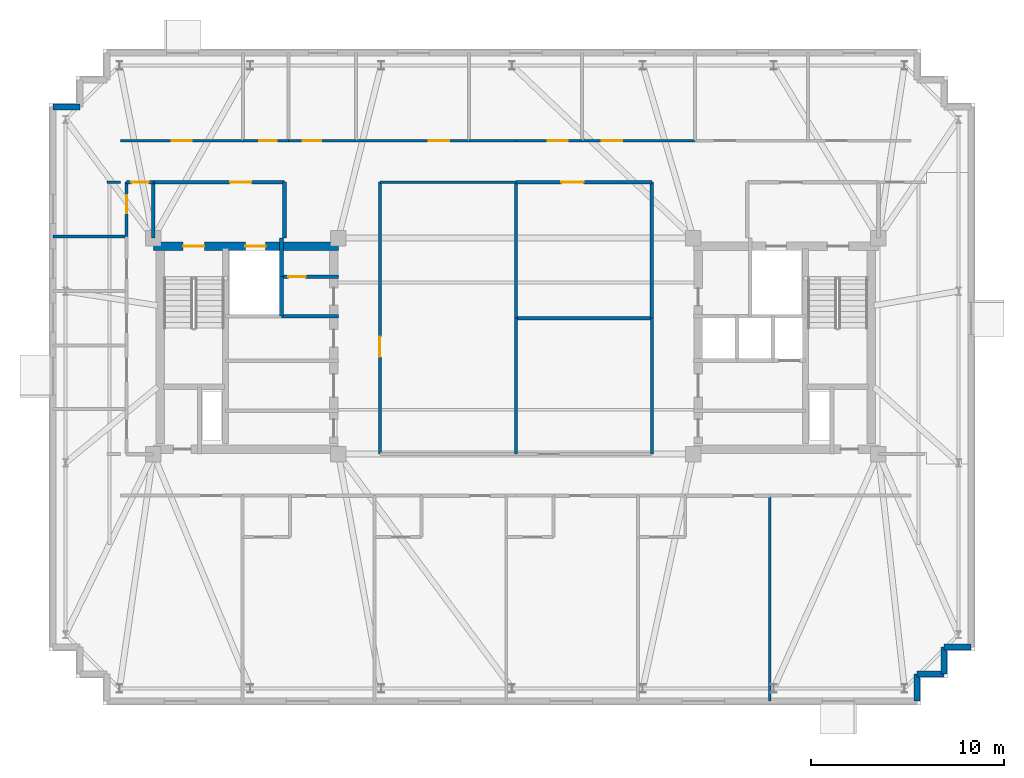
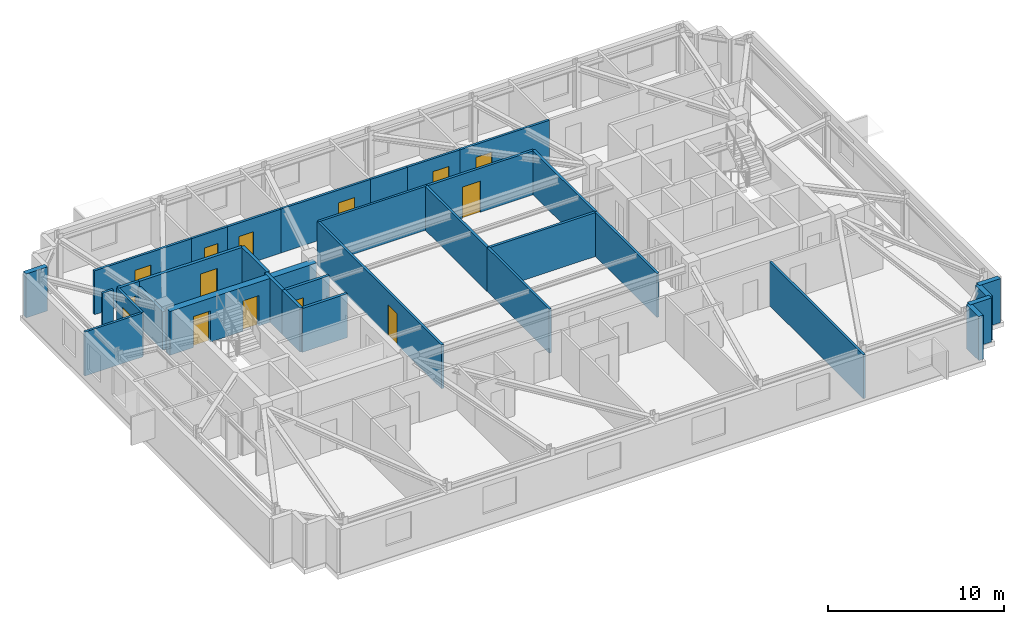
# One storey, part 7 of 11: 33 walls, 14 doors, 14 openings.
"""IFC4 building model written with IfcOpenShell, lengths in metres."""

from ifc_helpers import new_model, si_unit, direction, frame, frame_2d, origin, place, context, subcontext, project, spatial, rectangle, extrude, material, layer, layer_set, type_object, element, fill, save


model = new_model("IFC4")

# Units and contexts
model_context = context("Model", 3, precision=1e-05, world=origin(), true_north=direction((0.0, 1.0)))
body_context = subcontext(model_context, "Body", "Model", "MODEL_VIEW")
ifc_project = project(units=[si_unit("LENGTHUNIT", "METRE"), si_unit("AREAUNIT", "SQUARE_METRE"), si_unit("VOLUMEUNIT", "CUBIC_METRE"), si_unit("PLANEANGLEUNIT", "RADIAN"), si_unit("MASSUNIT", "GRAM", prefix="KILO")], contexts=[model_context])

# Site, building, storey
site_placement = place(None, origin())
site = spatial("IfcSite", under=ifc_project, at=site_placement, CompositionType="ELEMENT")
building_placement = place(site_placement, origin())
building = spatial("IfcBuilding", under=site, at=building_placement, Name="Qobustan Lattice House", CompositionType="ELEMENT")
storey_placement = place(building_placement, frame((0.0, 0.0, 248.39990234375)))
storey = spatial("IfcBuildingStorey", under=building, at=storey_placement, Name="L70", CompositionType="ELEMENT", Elevation=248.39990234375)

# Wall, openings, doors
ifc_material_1 = material(Name="Concrete C50/60", Category="concrete")
ifc_layer_1 = layer(ifc_material_1, 0.43994140625)
ifc_layer_set_1 = layer_set([ifc_layer_1], Name="Concrete C50/60")
wall_type_1 = type_object("IfcWallType", Name="WAL-CORE-440", PredefinedType="SHEAR", material=ifc_layer_set_1)
wall_1_placement = place(storey_placement, frame((-18.800048828125, 5.179931640625, 0.0), z_axis=(0.0, 0.0, 1.0), x_axis=(1.0, 0.0, 0.0)))
wall_1 = element("IfcWall", 1, at=wall_1_placement, inside=storey, type_object=wall_type_1, Name="L70 split-core shear wall CW-N", PredefinedType="SHEAR", context=body_context, shape_type="SweptSolid", body=[
    extrude(rectangle(XDim=9.60009765625, YDim=0.43994140625, at=frame_2d((4.800048828125, 0.0))), origin(), (0.0, 0.0, 1.0), 3.0400390625),
])
opening_1_placement = place(wall_1_placement, frame((1.550048828125, 0.0, 0.0)))
opening_1 = element("IfcOpeningElement", 2, at=opening_1_placement, cuts=wall_1, Name="Opening SD-01", PredefinedType="OPENING", context=body_context, shape_type="SweptSolid", body=[
    extrude(rectangle(XDim=1.10009765625, YDim=2.14990234375, at=frame_2d((0.550048828125, 1.074951171875))), frame((0.0, 0.22998046875, 0.0), z_axis=(0.0, -1.0, 0.0), x_axis=(1.0, 0.0, 0.0)), (0.0, 0.0, 1.0), 0.4599609375),
])
opening_2_placement = place(wall_1_placement, frame((4.77490234375, 0.0, 0.0)))
opening_2 = element("IfcOpeningElement", 3, at=opening_2_placement, cuts=wall_1, Name="Opening LD-01", PredefinedType="OPENING", context=body_context, shape_type="SweptSolid", body=[
    extrude(rectangle(XDim=1.050048828125, YDim=2.10009765625, at=frame_2d((0.52490234375, 1.050048828125))), frame((0.0, 0.22998046875, 0.0), z_axis=(0.0, -1.0, 0.0), x_axis=(1.0, 0.0, 0.0)), (0.0, 0.0, 1.0), 0.4599609375),
])
ifc_material_2 = material(Name="Persian walnut timber and steel frame door", Category="steel")
door_type_1 = type_object("IfcDoorType", Name="DOR-LIFT-LD-1050x2100", OperationType="NOTDEFINED", PredefinedType="DOOR", material=ifc_material_2)
door_1_placement = place(opening_2_placement, origin())
door_1 = element("IfcDoor", 4, at=door_1_placement, inside=storey, type_object=door_type_1, Name="L70 firefighting lift FF-W landing door", OperationType="DOUBLE_DOOR_SLIDING", OverallHeight=2.10009765625, OverallWidth=1.050048828125, PredefinedType="DOOR", context=body_context, shape_type="SweptSolid", body=[
    extrude(rectangle(XDim=1.050048828125, YDim=2.10009765625, at=frame_2d((0.52490234375, 1.050048828125))), frame((0.0, 0.02490234375, 0.0), z_axis=(0.0, -1.0, 0.0), x_axis=(1.0, 0.0, 0.0)), (0.0, 0.0, 1.0), 0.050048828125),
])
fill(opening_2, door_1)
ifc_material_3 = material(Name="Persian walnut timber and steel frame door", Category="steel")
door_type_2 = type_object("IfcDoorType", Name="DOR-STAIR-FD-1100x2150", OperationType="NOTDEFINED", PredefinedType="DOOR", material=ifc_material_3)
door_2_placement = place(opening_1_placement, origin())
door_2 = element("IfcDoor", 5, at=door_2_placement, inside=storey, type_object=door_type_2, Name="L70 exit stair ST-W1 fire door", OperationType="SINGLE_SWING_RIGHT", OverallHeight=2.14990234375, OverallWidth=1.10009765625, PredefinedType="DOOR", context=body_context, shape_type="SweptSolid", body=[
    extrude(rectangle(XDim=1.10009765625, YDim=2.14990234375, at=frame_2d((0.550048828125, 1.074951171875))), frame((0.0, 0.02490234375, 0.0), z_axis=(0.0, -1.0, 0.0), x_axis=(1.0, 0.0, 0.0)), (0.0, 0.0, 1.0), 0.050048828125),
])
fill(opening_1, door_2)

# Walls
ifc_material_4 = material(Name="Precast concrete C40/50", Category="concrete")
ifc_layer_2 = layer(ifc_material_4, 0.320068359375)
ifc_layer_set_2 = layer_set([ifc_layer_2], Name="Precast concrete C40/50")
wall_type_2 = type_object("IfcWallType", Name="WAL-EXT-STONE-320", PredefinedType="SOLIDWALL", material=ifc_layer_set_2)
wall_2_placement = place(storey_placement, frame((-24.0, 12.39990234375, 0.0), z_axis=(0.0, 0.0, 1.0), x_axis=(1.0, 0.0, 0.0)))
element("IfcWall", 6, at=wall_2_placement, inside=storey, type_object=wall_type_2, Name="L70 exterior limestone-clad wall 6", PredefinedType="SOLIDWALL", context=body_context, shape_type="SweptSolid", body=[
    extrude(rectangle(XDim=1.39990234375, YDim=0.320068359375, at=frame_2d((0.699951171875, 0.0))), origin(), (0.0, 0.0, 1.0), 3.0400390625),
])
wall_3_placement = place(storey_placement, frame((23.60009765625, -15.60009765625, 0.0), z_axis=(0.0, 0.0, 1.0), x_axis=(-1.0, 0.0, 0.0)))
element("IfcWall", 7, at=wall_3_placement, inside=storey, type_object=wall_type_2, Name="L70 exterior limestone-clad wall 16", PredefinedType="SOLIDWALL", context=body_context, shape_type="SweptSolid", body=[
    extrude(rectangle(XDim=1.400146484375, YDim=0.320068359375, at=frame_2d((0.7001953125, 0.0))), origin(), (0.0, 0.0, 1.0), 3.0400390625),
])
for number, where, z_axis, x_axis, name in (
    (8, (22.199951171875, -15.60009765625, 0.0), (0.0, 0.0, 1.0), (0.0, -1.0, 0.0), "L70 exterior limestone-clad wall 17"),
    (9, (22.199951171875, -17.0, 0.0), (0.0, 0.0, 1.0), (-1.0, 0.0, 0.0), "L70 exterior limestone-clad wall 18"),
    (10, (20.800048828125, -17.0, 0.0), (0.0, 0.0, 1.0), (0.0, -1.0, 0.0), "L70 exterior limestone-clad wall 19"),
):
    element("IfcWall", number, at=place(storey_placement, frame(where, z_axis=z_axis, x_axis=x_axis)), inside=storey, type_object=wall_type_2, Name=name, PredefinedType="SOLIDWALL", context=body_context, shape_type="SweptSolid", body=[
        extrude(rectangle(XDim=1.39990234375, YDim=0.320068359375, at=frame_2d((0.699951171875, 0.0))), origin(), (0.0, 0.0, 1.0), 3.0400390625),
    ])

# Wall, opening, door
ifc_material_5 = material(Name="Gypsum fireboard acoustic partition", Category="gypsum")
ifc_layer_3 = layer(ifc_material_5, 0.179931640625)
ifc_layer_set_3 = layer_set([ifc_layer_3], Name="Gypsum fireboard acoustic partition")
wall_type_3 = type_object("IfcWallType", Name="WAL-FIRE-180", PredefinedType="PARTITIONING", material=ifc_layer_set_3)
wall_4_placement = place(storey_placement, frame((-9.199951171875, 3.60009765625, 0.0), z_axis=(0.0, 0.0, 1.0), x_axis=(-1.0, 0.0, 0.0)))
wall_4 = element("IfcWall", 11, at=wall_4_placement, inside=storey, type_object=wall_type_3, Name="L70 interior partition 7", PredefinedType="PARTITIONING", context=body_context, shape_type="SweptSolid", body=[
    extrude(rectangle(XDim=2.949951171875, YDim=0.179931640625, at=frame_2d((1.47509765625, 0.0))), origin(), (0.0, 0.0, 1.0), 3.0400390625),
])
opening_3_placement = place(wall_4_placement, frame((1.699951171875, 0.0, 0.0)))
opening_3 = element("IfcOpeningElement", 12, at=opening_3_placement, cuts=wall_4, Name="Opening RD-01", PredefinedType="OPENING", context=body_context, shape_type="SweptSolid", body=[
    extrude(rectangle(XDim=0.89990234375, YDim=2.10009765625, at=frame_2d((0.449951171875, 1.050048828125))), frame((0.0, 0.099853515625, 0.0), z_axis=(0.0, -1.0, 0.0), x_axis=(1.0, 0.0, 0.0)), (0.0, 0.0, 1.0), 0.199951171875),
])
ifc_material_6 = material(Name="Persian walnut timber and steel frame door", Category="steel")
door_type_3 = type_object("IfcDoorType", Name="DOR-RISER-FD-900x2100", OperationType="NOTDEFINED", PredefinedType="DOOR", material=ifc_material_6)
door_3_placement = place(opening_3_placement, origin())
door_3 = element("IfcDoor", 13, at=door_3_placement, inside=storey, type_object=door_type_3, Name="L70 Core utility lobby to Cleaner store door", OperationType="SINGLE_SWING_LEFT", OverallHeight=2.10009765625, OverallWidth=0.89990234375, PredefinedType="DOOR", context=body_context, shape_type="SweptSolid", body=[
    extrude(rectangle(XDim=0.89990234375, YDim=2.10009765625, at=frame_2d((0.449951171875, 1.050048828125))), frame((0.0, 0.02490234375, 0.0), z_axis=(0.0, -1.0, 0.0), x_axis=(1.0, 0.0, 0.0)), (0.0, 0.0, 1.0), 0.050048828125),
])
fill(opening_3, door_3)

# Wall
wall_5_placement = place(storey_placement, frame((-12.14990234375, 1.550048828125, 0.0), z_axis=(0.0, 0.0, 1.0), x_axis=(1.0, 0.0, 0.0)))
element("IfcWall", 14, at=wall_5_placement, inside=storey, type_object=wall_type_3, Name="L70 interior partition 8", PredefinedType="PARTITIONING", context=body_context, shape_type="SweptSolid", body=[
    extrude(rectangle(XDim=2.949951171875, YDim=0.179931640625, at=frame_2d((1.47509765625, 0.0))), origin(), (0.0, 0.0, 1.0), 3.0400390625),
])

# Wall, opening, door
wall_6_placement = place(storey_placement, frame((-18.800048828125, 8.5, 0.0), z_axis=(0.0, 0.0, 1.0), x_axis=(-1.0, 0.0, 0.0)))
wall_6 = element("IfcWall", 15, at=wall_6_placement, inside=storey, type_object=wall_type_3, Name="L70 interior partition 29", PredefinedType="PARTITIONING", context=body_context, shape_type="SweptSolid", body=[
    extrude(rectangle(XDim=1.3798828125, YDim=0.179931640625, at=frame_2d((0.68994140625, 0.0))), origin(), (0.0, 0.0, 1.0), 3.0400390625),
])
opening_4_placement = place(wall_6_placement, frame((0.239990234375, 0.0, 0.0)))
opening_4 = element("IfcOpeningElement", 16, at=opening_4_placement, cuts=wall_6, Name="Opening RD-01", PredefinedType="OPENING", context=body_context, shape_type="SweptSolid", body=[
    extrude(rectangle(XDim=0.89990234375, YDim=2.10009765625, at=frame_2d((0.449951171875, 1.050048828125))), frame((0.0, 0.099853515625, 0.0), z_axis=(0.0, -1.0, 0.0), x_axis=(1.0, 0.0, 0.0)), (0.0, 0.0, 1.0), 0.199951171875),
])
door_4_placement = place(opening_4_placement, origin())
door_4 = element("IfcDoor", 17, at=door_4_placement, inside=storey, type_object=door_type_3, Name="L70 North-west floor corridor to Residence entrance hall L70W door", OperationType="SINGLE_SWING_RIGHT", OverallHeight=2.10009765625, OverallWidth=0.89990234375, PredefinedType="DOOR", context=body_context, shape_type="SweptSolid", body=[
    extrude(rectangle(XDim=0.89990234375, YDim=2.10009765625, at=frame_2d((0.449951171875, 1.050048828125))), frame((0.0, 0.02490234375, 0.0), z_axis=(0.0, -1.0, 0.0), x_axis=(1.0, 0.0, 0.0)), (0.0, 0.0, 1.0), 0.050048828125),
])
fill(opening_4, door_4)

# Wall
ifc_material_7 = material(Name="Acoustic twin-stud gypsum partition", Category="gypsum")
ifc_layer_4 = layer(ifc_material_7, 0.14990234375)
ifc_layer_set_4 = layer_set([ifc_layer_4], Name="Acoustic twin-stud gypsum partition")
wall_type_4 = type_object("IfcWallType", Name="WAL-PART-150", PredefinedType="PARTITIONING", material=ifc_layer_set_4)
wall_7_placement = place(storey_placement, frame((-20.5, 8.5, 0.0), z_axis=(0.0, 0.0, 1.0), x_axis=(-1.0, 0.0, 0.0)))
element("IfcWall", 18, at=wall_7_placement, inside=storey, type_object=wall_type_4, Name="L70 interior partition 30", PredefinedType="PARTITIONING", context=body_context, shape_type="SweptSolid", body=[
    extrude(rectangle(XDim=0.699951171875, YDim=0.14990234375, at=frame_2d((0.35009765625, 0.0))), origin(), (0.0, 0.0, 1.0), 3.0400390625),
])

# Wall, opening, door
wall_8_placement = place(storey_placement, frame((-20.5, 10.64990234375, 0.0), z_axis=(0.0, 0.0, 1.0), x_axis=(1.0, 0.0, 0.0)))
wall_8 = element("IfcWall", 19, at=wall_8_placement, inside=storey, type_object=wall_type_4, Name="L70 interior partition 31", PredefinedType="PARTITIONING", context=body_context, shape_type="SweptSolid", body=[
    extrude(rectangle(XDim=6.35693359375, YDim=0.14990234375, at=frame_2d((3.178466796875, 0.0))), origin(), (0.0, 0.0, 1.0), 3.0400390625),
])
opening_5_placement = place(wall_8_placement, frame((2.653564453125, 0.0, 0.0)))
opening_5 = element("IfcOpeningElement", 20, at=opening_5_placement, cuts=wall_8, Name="Opening ID-02", PredefinedType="OPENING", context=body_context, shape_type="SweptSolid", body=[
    extrude(rectangle(XDim=1.050048828125, YDim=2.14990234375, at=frame_2d((0.52490234375, 1.074951171875))), frame((0.0, 0.0849609375, 0.0), z_axis=(0.0, -1.0, 0.0), x_axis=(1.0, 0.0, 0.0)), (0.0, 0.0, 1.0), 0.169921875),
])
ifc_material_8 = material(Name="Persian walnut timber and steel frame door", Category="steel")
door_type_4 = type_object("IfcDoorType", Name="DOR-STUDY-1050x2150", OperationType="NOTDEFINED", PredefinedType="DOOR", material=ifc_material_8)
door_5_placement = place(opening_5_placement, origin())
door_5 = element("IfcDoor", 21, at=door_5_placement, inside=storey, type_object=door_type_4, Name="L70 North-west floor corridor to Focus study room N1 door", OperationType="SINGLE_SWING_LEFT", OverallHeight=2.14990234375, OverallWidth=1.050048828125, PredefinedType="DOOR", context=body_context, shape_type="SweptSolid", body=[
    extrude(rectangle(XDim=1.050048828125, YDim=2.14990234375, at=frame_2d((0.52490234375, 1.074951171875))), frame((0.0, 0.02490234375, 0.0), z_axis=(0.0, -1.0, 0.0), x_axis=(1.0, 0.0, 0.0)), (0.0, 0.0, 1.0), 0.050048828125),
])
fill(opening_5, door_5)

wall_9_placement = place(storey_placement, frame((-11.79296875, 10.64990234375, 0.0), z_axis=(0.0, 0.0, 1.0), x_axis=(1.0, 0.0, 0.0)))
wall_9 = element("IfcWall", 22, at=wall_9_placement, inside=storey, type_object=wall_type_4, Name="L70 interior partition 33", PredefinedType="PARTITIONING", context=body_context, shape_type="SweptSolid", body=[
    extrude(rectangle(XDim=3.507080078125, YDim=0.14990234375, at=frame_2d((1.75341796875, 0.0))), origin(), (0.0, 0.0, 1.0), 3.0400390625),
])
opening_6_placement = place(wall_9_placement, frame((0.754638671875, 0.0, 0.0)))
opening_6 = element("IfcOpeningElement", 23, at=opening_6_placement, cuts=wall_9, Name="Opening ID-01", PredefinedType="OPENING", context=body_context, shape_type="SweptSolid", body=[
    extrude(rectangle(XDim=0.949951171875, YDim=2.10009765625, at=frame_2d((0.47509765625, 1.050048828125))), frame((0.0, 0.0849609375, 0.0), z_axis=(0.0, -1.0, 0.0), x_axis=(1.0, 0.0, 0.0)), (0.0, 0.0, 1.0), 0.169921875),
])
ifc_material_9 = material(Name="Persian walnut timber and steel frame door", Category="steel")
door_type_5 = type_object("IfcDoorType", Name="DOR-ROOM-950x2100", OperationType="NOTDEFINED", PredefinedType="DOOR", material=ifc_material_9)
door_6_placement = place(opening_6_placement, origin())
door_6 = element("IfcDoor", 24, at=door_6_placement, inside=storey, type_object=door_type_5, Name="L70 North-west floor corridor to Laundry utility room door", OperationType="SINGLE_SWING_LEFT", OverallHeight=2.10009765625, OverallWidth=0.949951171875, PredefinedType="DOOR", context=body_context, shape_type="SweptSolid", body=[
    extrude(rectangle(XDim=0.949951171875, YDim=2.10009765625, at=frame_2d((0.47509765625, 1.050048828125))), frame((0.0, 0.02490234375, 0.0), z_axis=(0.0, -1.0, 0.0), x_axis=(1.0, 0.0, 0.0)), (0.0, 0.0, 1.0), 0.050048828125),
])
fill(opening_6, door_6)

wall_10_placement = place(storey_placement, frame((-8.285888671875, 10.64990234375, 0.0), z_axis=(0.0, 0.0, 1.0), x_axis=(1.0, 0.0, 0.0)))
wall_10 = element("IfcWall", 25, at=wall_10_placement, inside=storey, type_object=wall_type_4, Name="L70 interior partition 34", PredefinedType="PARTITIONING", context=body_context, shape_type="SweptSolid", body=[
    extrude(rectangle(XDim=5.85693359375, YDim=0.14990234375, at=frame_2d((2.928466796875, 0.0))), origin(), (0.0, 0.0, 1.0), 3.0400390625),
])
opening_7_placement = place(wall_10_placement, frame((3.77099609375, 0.0, 0.0)))
opening_7 = element("IfcOpeningElement", 26, at=opening_7_placement, cuts=wall_10, Name="Opening ID-02", PredefinedType="OPENING", context=body_context, shape_type="SweptSolid", body=[
    extrude(rectangle(XDim=1.050048828125, YDim=2.14990234375, at=frame_2d((0.52490234375, 1.074951171875))), frame((0.0, 0.0849609375, 0.0), z_axis=(0.0, -1.0, 0.0), x_axis=(1.0, 0.0, 0.0)), (0.0, 0.0, 1.0), 0.169921875),
])
door_7_placement = place(opening_7_placement, origin())
door_7 = element("IfcDoor", 27, at=door_7_placement, inside=storey, type_object=door_type_4, Name="L70 North-west floor corridor to Focus study room N3 door", OperationType="SINGLE_SWING_RIGHT", OverallHeight=2.14990234375, OverallWidth=1.050048828125, PredefinedType="DOOR", context=body_context, shape_type="SweptSolid", body=[
    extrude(rectangle(XDim=1.050048828125, YDim=2.14990234375, at=frame_2d((0.52490234375, 1.074951171875))), frame((0.0, 0.02490234375, 0.0), z_axis=(0.0, -1.0, 0.0), x_axis=(1.0, 0.0, 0.0)), (0.0, 0.0, 1.0), 0.050048828125),
])
fill(opening_7, door_7)

# Walls
wall_11_placement = place(storey_placement, frame((-2.428955078125, 10.64990234375, 0.0), z_axis=(0.0, 0.0, 1.0), x_axis=(1.0, 0.0, 0.0)))
element("IfcWall", 28, at=wall_11_placement, inside=storey, type_object=wall_type_4, Name="L70 interior partition 35", PredefinedType="PARTITIONING", context=body_context, shape_type="SweptSolid", body=[
    extrude(rectangle(XDim=2.428955078125, YDim=0.14990234375, at=frame_2d((1.21435546875, 0.0))), origin(), (0.0, 0.0, 1.0), 3.0400390625),
])
wall_12_placement = place(storey_placement, frame((0.0, 8.5, 0.0), z_axis=(0.0, 0.0, 1.0), x_axis=(-1.0, 0.0, 0.0)))
element("IfcWall", 29, at=wall_12_placement, inside=storey, type_object=wall_type_4, Name="L70 interior partition 36", PredefinedType="PARTITIONING", context=body_context, shape_type="SweptSolid", body=[
    extrude(rectangle(XDim=7.050048828125, YDim=0.14990234375, at=frame_2d((3.52490234375, 0.0))), origin(), (0.0, 0.0, 1.0), 3.0400390625),
])

# Wall, opening, door
wall_13_placement = place(storey_placement, frame((0.0, 10.64990234375, 0.0), z_axis=(0.0, 0.0, 1.0), x_axis=(1.0, 0.0, 0.0)))
wall_13 = element("IfcWall", 30, at=wall_13_placement, inside=storey, type_object=wall_type_4, Name="L70 interior partition 39", PredefinedType="PARTITIONING", context=body_context, shape_type="SweptSolid", body=[
    extrude(rectangle(XDim=3.428955078125, YDim=0.14990234375, at=frame_2d((1.71435546875, 0.0))), origin(), (0.0, 0.0, 1.0), 3.0400390625),
])
opening_8_placement = place(wall_13_placement, frame((1.646484375, 0.0, 0.0)))
opening_8 = element("IfcOpeningElement", 31, at=opening_8_placement, cuts=wall_13, Name="Opening ID-02", PredefinedType="OPENING", context=body_context, shape_type="SweptSolid", body=[
    extrude(rectangle(XDim=1.050048828125, YDim=2.14990234375, at=frame_2d((0.52490234375, 1.074951171875))), frame((0.0, 0.0849609375, 0.0), z_axis=(0.0, -1.0, 0.0), x_axis=(1.0, 0.0, 0.0)), (0.0, 0.0, 1.0), 0.169921875),
])
door_8_placement = place(opening_8_placement, origin())
door_8 = element("IfcDoor", 32, at=door_8_placement, inside=storey, type_object=door_type_4, Name="L70 North-east floor corridor to Focus study room N4 door", OperationType="SINGLE_SWING_RIGHT", OverallHeight=2.14990234375, OverallWidth=1.050048828125, PredefinedType="DOOR", context=body_context, shape_type="SweptSolid", body=[
    extrude(rectangle(XDim=1.050048828125, YDim=2.14990234375, at=frame_2d((0.52490234375, 1.074951171875))), frame((0.0, 0.02490234375, 0.0), z_axis=(0.0, -1.0, 0.0), x_axis=(1.0, 0.0, 0.0)), (0.0, 0.0, 1.0), 0.050048828125),
])
fill(opening_8, door_8)

wall_14_placement = place(storey_placement, frame((3.428955078125, 10.64990234375, 0.0), z_axis=(0.0, 0.0, 1.0), x_axis=(1.0, 0.0, 0.0)))
wall_14 = element("IfcWall", 33, at=wall_14_placement, inside=storey, type_object=wall_type_4, Name="L70 interior partition 40", PredefinedType="PARTITIONING", context=body_context, shape_type="SweptSolid", body=[
    extrude(rectangle(XDim=5.85693359375, YDim=0.14990234375, at=frame_2d((2.928466796875, 0.0))), origin(), (0.0, 0.0, 1.0), 3.0400390625),
])
opening_9_placement = place(wall_14_placement, frame((1.035888671875, 0.0, 0.0)))
opening_9 = element("IfcOpeningElement", 34, at=opening_9_placement, cuts=wall_14, Name="Opening ID-02", PredefinedType="OPENING", context=body_context, shape_type="SweptSolid", body=[
    extrude(rectangle(XDim=1.050048828125, YDim=2.14990234375, at=frame_2d((0.52490234375, 1.074951171875))), frame((0.0, 0.0849609375, 0.0), z_axis=(0.0, -1.0, 0.0), x_axis=(1.0, 0.0, 0.0)), (0.0, 0.0, 1.0), 0.169921875),
])
door_9_placement = place(opening_9_placement, origin())
door_9 = element("IfcDoor", 35, at=door_9_placement, inside=storey, type_object=door_type_4, Name="L70 North-east floor corridor to Focus study room N5 door", OperationType="SINGLE_SWING_LEFT", OverallHeight=2.14990234375, OverallWidth=1.050048828125, PredefinedType="DOOR", context=body_context, shape_type="SweptSolid", body=[
    extrude(rectangle(XDim=1.050048828125, YDim=2.14990234375, at=frame_2d((0.52490234375, 1.074951171875))), frame((0.0, 0.02490234375, 0.0), z_axis=(0.0, -1.0, 0.0), x_axis=(1.0, 0.0, 0.0)), (0.0, 0.0, 1.0), 0.050048828125),
])
fill(opening_9, door_9)

wall_15_placement = place(storey_placement, frame((-7.050048828125, 8.5, 0.0), z_axis=(0.0, 0.0, 1.0), x_axis=(0.0, -1.0, 0.0)))
wall_15 = element("IfcWall", 36, at=wall_15_placement, inside=storey, type_object=wall_type_4, Name="L70 interior partition 61", PredefinedType="PARTITIONING", context=body_context, shape_type="SweptSolid", body=[
    extrude(rectangle(XDim=14.10009765625, YDim=0.14990234375, at=frame_2d((7.050048828125, 0.0))), origin(), (0.0, 0.0, 1.0), 3.0400390625),
])
opening_10_placement = place(wall_15_placement, frame((8.01123046875, 0.0, 0.0)))
opening_10 = element("IfcOpeningElement", 37, at=opening_10_placement, cuts=wall_15, Name="Opening ID-02", PredefinedType="OPENING", context=body_context, shape_type="SweptSolid", body=[
    extrude(rectangle(XDim=1.050048828125, YDim=2.14990234375, at=frame_2d((0.52490234375, 1.074951171875))), frame((0.0, 0.0849609375, 0.0), z_axis=(0.0, -1.0, 0.0), x_axis=(1.0, 0.0, 0.0)), (0.0, 0.0, 1.0), 0.169921875),
])
door_10_placement = place(opening_10_placement, origin())
door_10 = element("IfcDoor", 38, at=door_10_placement, inside=storey, type_object=door_type_4, Name="L70 West floor link corridor to Central silent study room door", OperationType="SINGLE_SWING_RIGHT", OverallHeight=2.14990234375, OverallWidth=1.050048828125, PredefinedType="DOOR", context=body_context, shape_type="SweptSolid", body=[
    extrude(rectangle(XDim=1.050048828125, YDim=2.14990234375, at=frame_2d((0.52490234375, 1.074951171875))), frame((0.0, 0.02490234375, 0.0), z_axis=(0.0, -1.0, 0.0), x_axis=(1.0, 0.0, 0.0)), (0.0, 0.0, 1.0), 0.050048828125),
])
fill(opening_10, door_10)

# Wall
wall_16_placement = place(storey_placement, frame((7.050048828125, -5.60009765625, 0.0), z_axis=(0.0, 0.0, 1.0), x_axis=(0.0, 1.0, 0.0)))
element("IfcWall", 39, at=wall_16_placement, inside=storey, type_object=wall_type_4, Name="L70 interior partition 62", PredefinedType="PARTITIONING", context=body_context, shape_type="SweptSolid", body=[
    extrude(rectangle(XDim=7.050048828125, YDim=0.14990234375, at=frame_2d((3.52490234375, 0.0))), origin(), (0.0, 0.0, 1.0), 3.0400390625),
])

# Wall, opening, door
wall_17_placement = place(storey_placement, frame((-20.179931640625, 5.679931640625, 0.0), z_axis=(0.0, 0.0, 1.0), x_axis=(0.0, 1.0, 0.0)))
wall_17 = element("IfcWall", 40, at=wall_17_placement, inside=storey, type_object=wall_type_4, Name="L70 interior partition 68", PredefinedType="PARTITIONING", context=body_context, shape_type="SweptSolid", body=[
    extrude(rectangle(XDim=2.820068359375, YDim=0.14990234375, at=frame_2d((1.41015625, 0.0))), origin(), (0.0, 0.0, 1.0), 3.0400390625),
])
opening_11_placement = place(wall_17_placement, frame((1.201171875, 0.0, 0.0)))
opening_11 = element("IfcOpeningElement", 41, at=opening_11_placement, cuts=wall_17, Name="Opening ID-01", PredefinedType="OPENING", context=body_context, shape_type="SweptSolid", body=[
    extrude(rectangle(XDim=0.949951171875, YDim=2.10009765625, at=frame_2d((0.47509765625, 1.050048828125))), frame((0.0, 0.0849609375, 0.0), z_axis=(0.0, -1.0, 0.0), x_axis=(1.0, 0.0, 0.0)), (0.0, 0.0, 1.0), 0.169921875),
])
door_11_placement = place(opening_11_placement, origin())
door_11 = element("IfcDoor", 42, at=door_11_placement, inside=storey, type_object=door_type_5, Name="L70 Residence entrance hall L70W to Cluster bedroom L70W3 door", OperationType="SINGLE_SWING_LEFT", OverallHeight=2.10009765625, OverallWidth=0.949951171875, PredefinedType="DOOR", context=body_context, shape_type="SweptSolid", body=[
    extrude(rectangle(XDim=0.949951171875, YDim=2.10009765625, at=frame_2d((0.47509765625, 1.050048828125))), frame((0.0, 0.02490234375, 0.0), z_axis=(0.0, -1.0, 0.0), x_axis=(1.0, 0.0, 0.0)), (0.0, 0.0, 1.0), 0.050048828125),
])
fill(opening_11, door_11)

# Walls
wall_18_placement = place(storey_placement, frame((-24.0, 5.679931640625, 0.0), z_axis=(0.0, 0.0, 1.0), x_axis=(1.0, 0.0, 0.0)))
element("IfcWall", 43, at=wall_18_placement, inside=storey, type_object=wall_type_4, Name="L70 interior partition 72", PredefinedType="PARTITIONING", context=body_context, shape_type="SweptSolid", body=[
    extrude(rectangle(XDim=3.820068359375, YDim=0.14990234375, at=frame_2d((1.91015625, 0.0))), origin(), (0.0, 0.0, 1.0), 3.0400390625),
])
wall_19_placement = place(storey_placement, frame((13.1669921875, -7.75, 0.0), z_axis=(0.0, 0.0, 1.0), x_axis=(0.0, -1.0, 0.0)))
element("IfcWall", 44, at=wall_19_placement, inside=storey, type_object=wall_type_4, Name="L70 interior partition 96", PredefinedType="PARTITIONING", context=body_context, shape_type="SweptSolid", body=[
    extrude(rectangle(XDim=10.64990234375, YDim=0.14990234375, at=frame_2d((5.324951171875, 0.0))), origin(), (0.0, 0.0, 1.0), 3.0400390625),
])
wall_20_placement = place(storey_placement, frame((0.0, 1.449951171875, 0.0), z_axis=(0.0, 0.0, 1.0), x_axis=(0.0, -1.0, 0.0)))
element("IfcWall", 45, at=wall_20_placement, inside=storey, type_object=wall_type_4, Name="L70 interior partition 97", PredefinedType="PARTITIONING", context=body_context, shape_type="SweptSolid", body=[
    extrude(rectangle(XDim=7.050048828125, YDim=0.14990234375, at=frame_2d((3.52490234375, 0.0))), origin(), (0.0, 0.0, 1.0), 3.0400390625),
])

# Wall, opening, door
ifc_material_10 = material(Name="High-mass acoustic twin-stud partition", Category="gypsum")
ifc_layer_5 = layer(ifc_material_10, 0.1650390625)
ifc_layer_set_5 = layer_set([ifc_layer_5], Name="High-mass acoustic twin-stud partition")
wall_type_5 = type_object("IfcWallType", Name="WAL-PART-165", PredefinedType="PARTITIONING", material=ifc_layer_set_5)
wall_21_placement = place(storey_placement, frame((7.050048828125, 8.5, 0.0), z_axis=(0.0, 0.0, 1.0), x_axis=(-1.0, 0.0, 0.0)))
wall_21 = element("IfcWall", 46, at=wall_21_placement, inside=storey, type_object=wall_type_5, Name="L70 interior partition 43", PredefinedType="PARTITIONING", context=body_context, shape_type="SweptSolid", body=[
    extrude(rectangle(XDim=7.050048828125, YDim=0.1650390625, at=frame_2d((3.52490234375, 0.0))), origin(), (0.0, 0.0, 1.0), 3.0400390625),
])
opening_12_placement = place(wall_21_placement, frame((3.54248046875, 0.0, 0.0)))
opening_12 = element("IfcOpeningElement", 47, at=opening_12_placement, cuts=wall_21, Name="Opening ID-03", PredefinedType="OPENING", context=body_context, shape_type="SweptSolid", body=[
    extrude(rectangle(XDim=1.14990234375, YDim=2.14990234375, at=frame_2d((0.574951171875, 1.074951171875))), frame((0.0, 0.092529296875, 0.0), z_axis=(0.0, -1.0, 0.0), x_axis=(1.0, 0.0, 0.0)), (0.0, 0.0, 1.0), 0.18505859375),
])
ifc_material_11 = material(Name="Persian walnut timber and steel frame door", Category="steel")
door_type_6 = type_object("IfcDoorType", Name="DOR-KITCH-1150x2150", OperationType="NOTDEFINED", PredefinedType="DOOR", material=ifc_material_11)
door_12_placement = place(opening_12_placement, origin())
door_12 = element("IfcDoor", 48, at=door_12_placement, inside=storey, type_object=door_type_6, Name="L70 North-east floor corridor to Communal kitchen dining door", OperationType="SINGLE_SWING_RIGHT", OverallHeight=2.14990234375, OverallWidth=1.14990234375, PredefinedType="DOOR", context=body_context, shape_type="SweptSolid", body=[
    extrude(rectangle(XDim=1.14990234375, YDim=2.14990234375, at=frame_2d((0.574951171875, 1.074951171875))), frame((0.0, 0.02490234375, 0.0), z_axis=(0.0, -1.0, 0.0), x_axis=(1.0, 0.0, 0.0)), (0.0, 0.0, 1.0), 0.050048828125),
])
fill(opening_12, door_12)

# Walls
for number, where, z_axis, x_axis, name in (
    (49, (7.050048828125, 1.449951171875, 0.0), (0.0, 0.0, 1.0), (0.0, 1.0, 0.0), "L70 interior partition 63"),
    (50, (0.0, 8.5, 0.0), (0.0, 0.0, 1.0), (0.0, -1.0, 0.0), "L70 interior partition 98"),
    (51, (0.0, 1.449951171875, 0.0), (0.0, 0.0, 1.0), (1.0, 0.0, 0.0), "L70 interior partition 99"),
):
    element("IfcWall", number, at=place(storey_placement, frame(where, z_axis=z_axis, x_axis=x_axis)), inside=storey, type_object=wall_type_5, Name=name, PredefinedType="PARTITIONING", context=body_context, shape_type="SweptSolid", body=[
        extrude(rectangle(XDim=7.050048828125, YDim=0.1650390625, at=frame_2d((3.52490234375, 0.0))), origin(), (0.0, 0.0, 1.0), 3.0400390625),
    ])

# Wall, opening, door
ifc_material_12 = material(Name="Two-hour gypsum fireboard acoustic partition", Category="gypsum")
ifc_layer_6 = layer(ifc_material_12, 0.199951171875)
ifc_layer_set_6 = layer_set([ifc_layer_6], Name="Two-hour gypsum fireboard acoustic partition")
wall_type_6 = type_object("IfcWallType", Name="WAL-PROT-200", PredefinedType="PARTITIONING", material=ifc_layer_set_6)
wall_22_placement = place(storey_placement, frame((-12.0, 8.5, 0.0), z_axis=(0.0, 0.0, 1.0), x_axis=(-1.0, 0.0, 0.0)))
wall_22 = element("IfcWall", 52, at=wall_22_placement, inside=storey, type_object=wall_type_6, Name="L70 interior partition 4", PredefinedType="PARTITIONING", context=body_context, shape_type="SweptSolid", body=[
    extrude(rectangle(XDim=6.800048828125, YDim=0.199951171875, at=frame_2d((3.39990234375, 0.0))), origin(), (0.0, 0.0, 1.0), 3.0400390625),
])
opening_13_placement = place(wall_22_placement, frame((1.715087890625, 0.0, 0.0)))
opening_13 = element("IfcOpeningElement", 53, at=opening_13_placement, cuts=wall_22, Name="Opening SD-01", PredefinedType="OPENING", context=body_context, shape_type="SweptSolid", body=[
    extrude(rectangle(XDim=1.10009765625, YDim=2.14990234375, at=frame_2d((0.550048828125, 1.074951171875))), frame((0.0, 0.10986328125, 0.0), z_axis=(0.0, -1.0, 0.0), x_axis=(1.0, 0.0, 0.0)), (0.0, 0.0, 1.0), 0.219970703125),
])
door_13_placement = place(opening_13_placement, origin())
door_13 = element("IfcDoor", 54, at=door_13_placement, inside=storey, type_object=door_type_2, Name="L70 West firefighting lift lobby to North-west floor corridor door", OperationType="SINGLE_SWING_RIGHT", OverallHeight=2.14990234375, OverallWidth=1.10009765625, PredefinedType="DOOR", context=body_context, shape_type="SweptSolid", body=[
    extrude(rectangle(XDim=1.10009765625, YDim=2.14990234375, at=frame_2d((0.550048828125, 1.074951171875))), frame((0.0, 0.02490234375, 0.0), z_axis=(0.0, -1.0, 0.0), x_axis=(1.0, 0.0, 0.0)), (0.0, 0.0, 1.0), 0.050048828125),
])
fill(opening_13, door_13)

# Walls
wall_23_placement = place(storey_placement, frame((-12.0, 5.60009765625, 0.0), z_axis=(0.0, 0.0, 1.0), x_axis=(0.0, 1.0, 0.0)))
element("IfcWall", 55, at=wall_23_placement, inside=storey, type_object=wall_type_6, Name="L70 interior partition 5", PredefinedType="PARTITIONING", context=body_context, shape_type="SweptSolid", body=[
    extrude(rectangle(XDim=2.89990234375, YDim=0.199951171875, at=frame_2d((1.449951171875, 0.0))), origin(), (0.0, 0.0, 1.0), 3.0400390625),
])
wall_24_placement = place(storey_placement, frame((-18.800048828125, 8.5, 0.0), z_axis=(0.0, 0.0, 1.0), x_axis=(0.0, -1.0, 0.0)))
element("IfcWall", 56, at=wall_24_placement, inside=storey, type_object=wall_type_6, Name="L70 interior partition 6", PredefinedType="PARTITIONING", context=body_context, shape_type="SweptSolid", body=[
    extrude(rectangle(XDim=2.89990234375, YDim=0.199951171875, at=frame_2d((1.449951171875, 0.0))), origin(), (0.0, 0.0, 1.0), 2.6650390625),
])
ifc_material_13 = material(Name="Concrete C40/50", Category="concrete")
ifc_layer_7 = layer(ifc_material_13, 0.199951171875)
ifc_layer_set_7 = layer_set([ifc_layer_7], Name="Concrete C40/50")
wall_type_7 = type_object("IfcWallType", Name="WAL-SHAFT-200", PredefinedType="PARTITIONING", material=ifc_layer_set_7)
wall_25_placement = place(storey_placement, frame((-12.14990234375, 1.550048828125, 0.0), z_axis=(0.0, 0.0, 1.0), x_axis=(0.0, 1.0, 0.0)))
element("IfcWall", 57, at=wall_25_placement, inside=storey, type_object=wall_type_7, Name="L70 interior partition 2", PredefinedType="PARTITIONING", context=body_context, shape_type="SweptSolid", body=[
    extrude(rectangle(XDim=2.050048828125, YDim=0.199951171875, at=frame_2d((1.02490234375, 0.0))), origin(), (0.0, 0.0, 1.0), 3.0400390625),
])
wall_26_placement = place(storey_placement, frame((-12.14990234375, 3.60009765625, 0.0), z_axis=(0.0, 0.0, 1.0), x_axis=(0.0, 1.0, 0.0)))
element("IfcWall", 58, at=wall_26_placement, inside=storey, type_object=wall_type_7, Name="L70 interior partition 3", PredefinedType="PARTITIONING", context=body_context, shape_type="SweptSolid", body=[
    extrude(rectangle(XDim=2.0, YDim=0.199951171875, at=frame_2d((1.0, 0.0))), origin(), (0.0, 0.0, 1.0), 3.0400390625),
])

# Wall, opening, door
ifc_material_14 = material(Name="Moisture-resistant acoustic plumbing wall", Category="gypsum")
ifc_layer_8 = layer(ifc_material_14, 0.14990234375)
ifc_layer_set_8 = layer_set([ifc_layer_8], Name="Moisture-resistant acoustic plumbing wall")
wall_type_8 = type_object("IfcWallType", Name="WAL-WET-150", PredefinedType="PLUMBINGWALL", material=ifc_layer_set_8)
wall_27_placement = place(storey_placement, frame((-14.14306640625, 10.64990234375, 0.0), z_axis=(0.0, 0.0, 1.0), x_axis=(1.0, 0.0, 0.0)))
wall_27 = element("IfcWall", 59, at=wall_27_placement, inside=storey, type_object=wall_type_8, Name="L70 interior partition 32", PredefinedType="PLUMBINGWALL", context=body_context, shape_type="SweptSolid", body=[
    extrude(rectangle(XDim=2.35009765625, YDim=0.14990234375, at=frame_2d((1.175048828125, 0.0))), origin(), (0.0, 0.0, 1.0), 3.0400390625),
])
opening_14_placement = place(wall_27_placement, frame((0.833740234375, 0.0, 0.0)))
opening_14 = element("IfcOpeningElement", 60, at=opening_14_placement, cuts=wall_27, Name="Opening WD-01", PredefinedType="OPENING", context=body_context, shape_type="SweptSolid", body=[
    extrude(rectangle(XDim=0.89990234375, YDim=2.10009765625, at=frame_2d((0.449951171875, 1.050048828125))), frame((0.0, 0.0849609375, 0.0), z_axis=(0.0, -1.0, 0.0), x_axis=(1.0, 0.0, 0.0)), (0.0, 0.0, 1.0), 0.169921875),
])
ifc_material_15 = material(Name="Persian walnut timber and steel frame door", Category="steel")
door_type_7 = type_object("IfcDoorType", Name="DOR-WET-900x2100", OperationType="NOTDEFINED", PredefinedType="DOOR", material=ifc_material_15)
door_14_placement = place(opening_14_placement, origin())
door_14 = element("IfcDoor", 61, at=door_14_placement, inside=storey, type_object=door_type_7, Name="L70 North-west floor corridor to Accessible WC door", OperationType="SINGLE_SWING_RIGHT", OverallHeight=2.10009765625, OverallWidth=0.89990234375, PredefinedType="DOOR", context=body_context, shape_type="SweptSolid", body=[
    extrude(rectangle(XDim=0.89990234375, YDim=2.10009765625, at=frame_2d((0.449951171875, 1.050048828125))), frame((0.0, 0.02490234375, 0.0), z_axis=(0.0, -1.0, 0.0), x_axis=(1.0, 0.0, 0.0)), (0.0, 0.0, 1.0), 0.050048828125),
])
fill(opening_14, door_14)

save(model, "model.ifc")
